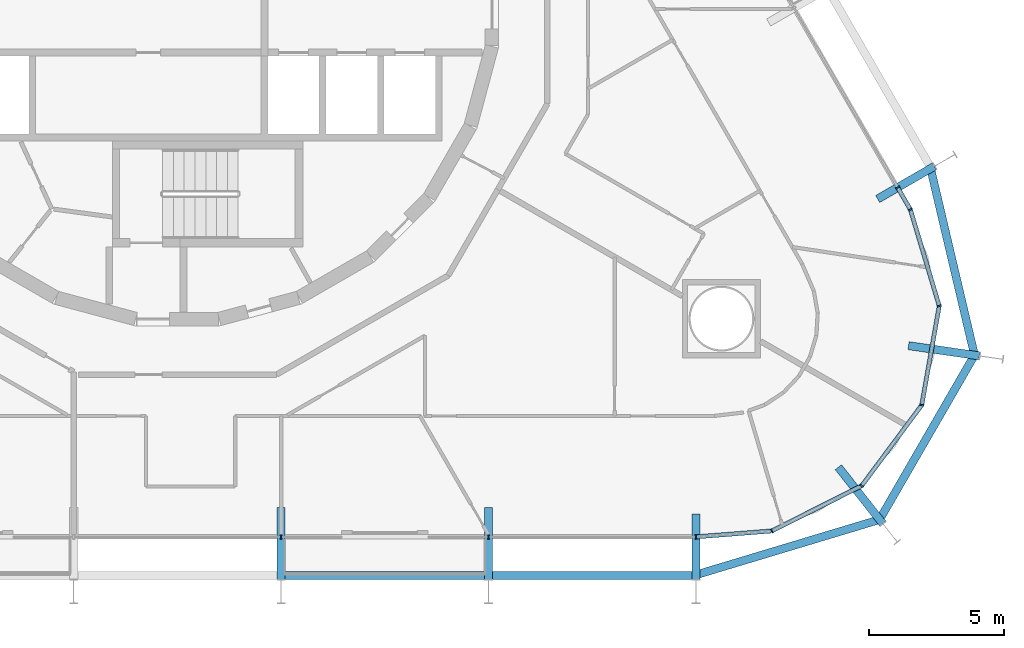
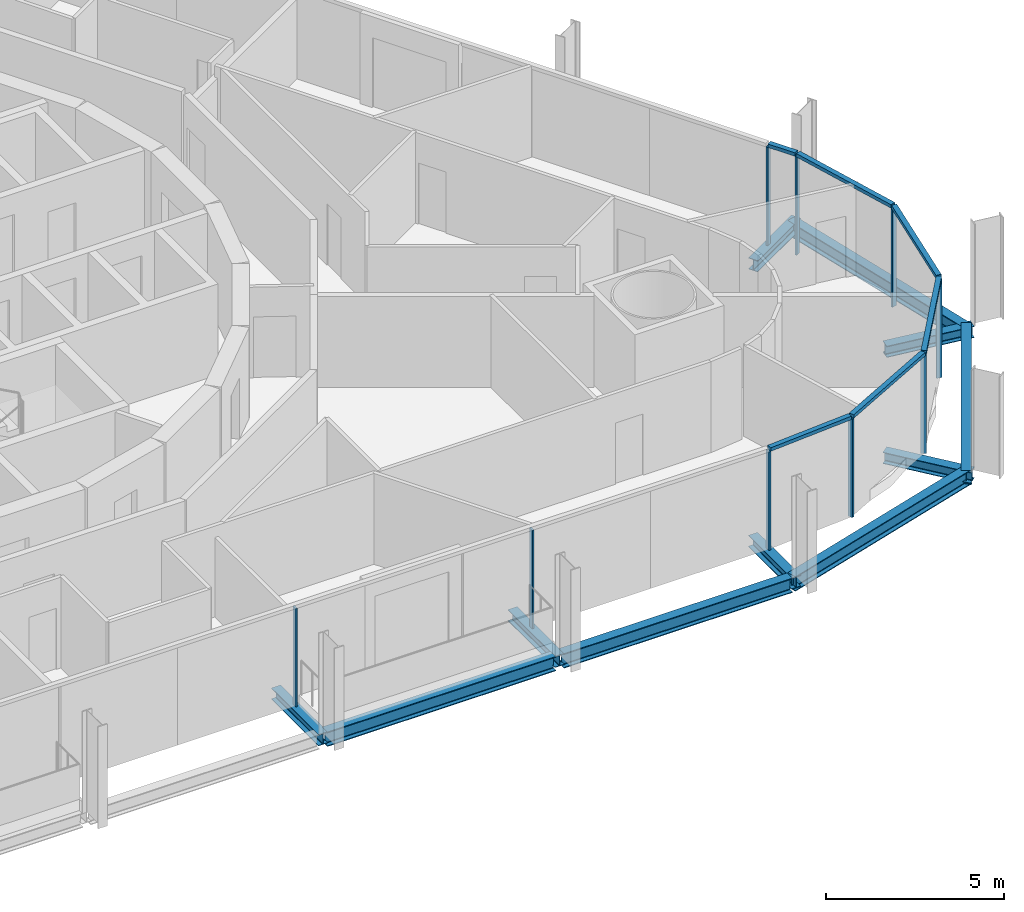
# One storey, part 6 of 19: 15 members, 11 beams, 3 elements without a shape of their own.
"""IFC4 building model written with IfcOpenShell, lengths in metres."""

import ifcopenshell
import ifcopenshell.guid

model = None  # the IFC model being written
_history = None  # IfcOwnerHistory: only IFC2X3 demands one
_inside = {}  # id of a spatial element -> (the spatial element, [elements in it])
_under = {}  # id of a project, library or spatial element -> (it, [spatial elements below it])
_declared = {}  # id of a project -> (the project, [libraries it declares])
_typed = {}  # id of a type object -> (the type object, [elements of that type])
_made_of = {}  # id of a material, layer set ... -> (it, [elements and type objects made of it])


def new_model(schema):
    """Start an empty IFC model of exactly this schema.

    Asked for "IFC4X3", IfcOpenShell would pick the latest addendum, in which some entities
    have other attributes; the version numbers below select the first issue.
    IFC2X3 requires an IfcOwnerHistory on every rooted entity: one is made here for all.
    """
    global model, _history
    if schema == "IFC4X3":
        model = ifcopenshell.file(schema_version=(4, 3, 0, 0))
    else:
        model = ifcopenshell.file(schema=schema)
    _inside.clear()
    _under.clear()
    _declared.clear()
    _typed.clear()
    _made_of.clear()
    _history = None
    if model.schema == "IFC2X3":
        org = make("IfcOrganization", Name="unknown")
        user = make(
            "IfcPersonAndOrganization",
            ThePerson=make("IfcPerson", FamilyName="unknown"),
            TheOrganization=org,
        )
        app = make(
            "IfcApplication",
            ApplicationDeveloper=org,
            Version="unknown",
            ApplicationFullName="unknown",
            ApplicationIdentifier="unknown",
        )
        _history = make(
            "IfcOwnerHistory",
            OwningUser=user,
            OwningApplication=app,
            ChangeAction="ADDED",
            CreationDate=0,
        )
    return model


def make(cls, **values):
    """One entity of the class cls with the attributes given. An attribute that is None is left unset."""
    return model.create_entity(
        cls, **{name: value for name, value in values.items() if value is not None}
    )


def rooted(cls, **values):
    """An entity with a GlobalId (a new one), such as an element, a storey or a relation."""
    return make(cls, GlobalId=ifcopenshell.guid.new(), OwnerHistory=_history, **values)


def si_unit(unit_type, name, prefix=None):
    """IfcSIUnit, for example si_unit("LENGTHUNIT", "METRE", prefix="MILLI")."""
    return make("IfcSIUnit", UnitType=unit_type, Prefix=prefix, Name=name)


def assignment(units):
    """IfcUnitAssignment: the units of a project."""
    return None if units is None else make("IfcUnitAssignment", Units=units)


def point(xyz):
    """IfcCartesianPoint."""
    return None if xyz is None else make("IfcCartesianPoint", Coordinates=xyz)


def direction(xyz):
    """IfcDirection."""
    return None if xyz is None else make("IfcDirection", DirectionRatios=xyz)


def frame(location, z_axis=None, x_axis=None):
    """IfcAxis2Placement3D, a coordinate frame: its origin and axes. An axis left out is left unset."""
    return make(
        "IfcAxis2Placement3D",
        Location=point(location),
        Axis=direction(z_axis),
        RefDirection=direction(x_axis),
    )


def frame_2d(location, x_axis=None):
    """IfcAxis2Placement2D, a coordinate frame in the plane: its origin and x axis."""
    return make(
        "IfcAxis2Placement2D", Location=point(location), RefDirection=direction(x_axis)
    )


def origin():
    """The frame at (0, 0, 0) with its axes left unset."""
    return frame((0.0, 0.0, 0.0))


def origin_2d():
    """The frame at (0, 0) in the plane with its x axis left unset."""
    return frame_2d((0.0, 0.0))


def place(relative_to, where):
    """IfcLocalPlacement: puts the frame where relative to a parent placement (None: the world)."""
    return make(
        "IfcLocalPlacement", PlacementRelTo=relative_to, RelativePlacement=where
    )


def context(
    kind, dimensions, precision=None, world=None, true_north=None, identifier=None
):
    """IfcGeometricRepresentationContext, for example the 3D "Model" context."""
    return make(
        "IfcGeometricRepresentationContext",
        ContextIdentifier=identifier,
        ContextType=kind,
        CoordinateSpaceDimension=dimensions,
        Precision=precision,
        WorldCoordinateSystem=world,
        TrueNorth=true_north,
    )


def subcontext(parent, identifier, kind, view, scale=None):
    """IfcGeometricRepresentationSubContext, for example "Body" below "Model"."""
    return make(
        "IfcGeometricRepresentationSubContext",
        ContextIdentifier=identifier,
        ContextType=kind,
        ParentContext=parent,
        TargetScale=scale,
        TargetView=view,
    )


def project(units=None, contexts=None):
    """IfcProject with its units and contexts."""
    return rooted(
        "IfcProject",
        Name="project",
        RepresentationContexts=contexts,
        UnitsInContext=assignment(units),
    )


def spatial(cls, under=None, at=None, **own):
    """A site, building, storey or space (cls), placed at a placement, below another one or the project."""
    s = rooted(cls, ObjectPlacement=at, **own)
    if under is not None:
        _under.setdefault(under.id(), (under, []))[1].append(s)
    return s


def profile(cls, at=None, kind="AREA", **sizes):
    """A parametric profile (cls). Its sizes go by their IFC names, for example OverallWidth=200.0."""
    return make(cls, ProfileType=kind, Position=at, **sizes)


def rectangle(**sizes):
    """IfcRectangleProfileDef."""
    return profile("IfcRectangleProfileDef", **sizes)


def i_section(**sizes):
    """IfcIShapeProfileDef."""
    return profile("IfcIShapeProfileDef", **sizes)


def extrude(swept, where, along, depth):
    """IfcExtrudedAreaSolid: the profile swept, set in the frame where, extruded along a direction by depth."""
    return make(
        "IfcExtrudedAreaSolid",
        SweptArea=swept,
        Position=where,
        ExtrudedDirection=direction(along),
        Depth=depth,
    )


def shape(context_of_items, identifier, shape_type, items):
    """IfcShapeRepresentation: the items that make up one representation, for example the "Body"."""
    return make(
        "IfcShapeRepresentation",
        ContextOfItems=context_of_items,
        RepresentationIdentifier=identifier,
        RepresentationType=shape_type,
        Items=items,
    )


def material(Name=None, Category=None):
    """IfcMaterial."""
    return make("IfcMaterial", Name=Name, Category=Category)


def layer(
    of_material, thickness, ventilated=None, Name=None, Category=None, Priority=None
):
    """IfcMaterialLayer: one layer of a wall or slab, of a material (None: an air gap)."""
    return make(
        "IfcMaterialLayer",
        Material=of_material,
        LayerThickness=thickness,
        IsVentilated=ventilated,
        Name=Name,
        Category=Category,
        Priority=Priority,
    )


def layer_set(layers, Name=None):
    """IfcMaterialLayerSet."""
    return make("IfcMaterialLayerSet", MaterialLayers=layers, LayerSetName=Name)


def material_profile(
    of_material, cross_section, Name=None, Category=None, Priority=None
):
    """IfcMaterialProfile: a cross section and its material."""
    return make(
        "IfcMaterialProfile",
        Name=Name,
        Material=of_material,
        Profile=cross_section,
        Priority=Priority,
        Category=Category,
    )


def profile_set(profiles, Name=None, composite=None):
    """IfcMaterialProfileSet."""
    return make(
        "IfcMaterialProfileSet",
        Name=Name,
        MaterialProfiles=profiles,
        CompositeProfile=composite,
    )


def made_of(thing, what):
    """Note that an element or type object is made of a material, layer set ...; save() writes the relation."""
    if what is not None:
        _made_of.setdefault(what.id(), (what, []))[1].append(thing)
    return thing


def type_object(cls, material=None, **own):
    """A type object (cls), such as IfcWallType, which elements share."""
    return made_of(rooted(cls, **own), material)


def element(
    cls,
    number,
    at=None,
    inside=None,
    cuts=None,
    type_object=None,
    material=None,
    context=None,
    identifier="Body",
    shape_type=None,
    held_by="IfcProductDefinitionShape",
    body=None,
    shapes=None,
    **own,
):
    """One element of the class cls, such as IfcWall. Its Tag is "e" and its number.

    at: its placement. inside: the storey or other place that contains it. cuts: it is an
    opening in that element (IfcRelVoidsElement). A single representation is given by context,
    identifier, shape_type and body (its items); several are given by shapes. held_by: the class
    of the entity that holds the representations. save() writes the other relations.
    """
    e = rooted(cls, Tag="e%d" % number, ObjectPlacement=at, **own)
    if body is not None:
        shapes = [shape(context, identifier, shape_type, body)]
    if shapes is not None:
        e.Representation = make(held_by, Representations=shapes)
    if inside is not None:
        _inside.setdefault(inside.id(), (inside, []))[1].append(e)
    if cuts is not None:
        rooted(
            "IfcRelVoidsElement", RelatingBuildingElement=cuts, RelatedOpeningElement=e
        )
    if type_object is not None:
        _typed.setdefault(type_object.id(), (type_object, []))[1].append(e)
    return made_of(e, material)


def aggregate(whole, parts):
    """IfcRelAggregates: a whole, such as a stair, and the parts it consists of."""
    return rooted("IfcRelAggregates", RelatingObject=whole, RelatedObjects=parts)


def save(model, path):
    """Write the relations noted so far, then the file.

    IfcRelAggregates (storeys below a building ...), IfcRelContainedInSpatialStructure (elements
    in a storey), IfcRelDefinesByType, IfcRelAssociatesMaterial and IfcRelDeclares: one each for
    every whole, place, type object, material and project.
    """
    for whole, parts in _under.values():
        aggregate(whole, parts)
    for where, things in _inside.values():
        rooted(
            "IfcRelContainedInSpatialStructure",
            RelatedElements=things,
            RelatingStructure=where,
        )
    for kind, things in _typed.values():
        rooted("IfcRelDefinesByType", RelatedObjects=things, RelatingType=kind)
    for what, things in _made_of.values():
        rooted("IfcRelAssociatesMaterial", RelatedObjects=things, RelatingMaterial=what)
    for by, libraries in _declared.values():
        rooted("IfcRelDeclares", RelatingContext=by, RelatedDefinitions=libraries)
    model.write(path)


model = new_model("IFC4")

# Units and contexts
model_context = context("Model", 3, precision=1e-05, world=origin(), true_north=direction((0.0, 1.0)))
body_context = subcontext(model_context, "Body", "Model", "MODEL_VIEW")
ifc_project = project(units=[si_unit("LENGTHUNIT", "METRE"), si_unit("AREAUNIT", "SQUARE_METRE"), si_unit("VOLUMEUNIT", "CUBIC_METRE"), si_unit("PLANEANGLEUNIT", "RADIAN"), si_unit("MASSUNIT", "GRAM", prefix="KILO")], contexts=[model_context])

# Site, building, storey
site_placement = place(None, origin())
site = spatial("IfcSite", under=ifc_project, at=site_placement, CompositionType="ELEMENT")
building_placement = place(site_placement, origin())
building = spatial("IfcBuilding", under=site, at=building_placement, Name="Spindle Arch Residences", CompositionType="ELEMENT")
storey_placement = place(building_placement, frame((0.0, 0.0, 45.39990234375)))
storey = spatial("IfcBuildingStorey", under=building, at=storey_placement, Name="L09", CompositionType="ELEMENT", Elevation=45.39990234375)

# Curtain wall, members
ifc_material_1 = material(Name="Aluminium bronze unitised frame with tinted glass", Category="aluminium")
ifc_layer_1 = layer(ifc_material_1, 0.159912109375)
ifc_layer_set_1 = layer_set([ifc_layer_1], Name="CW-D corner wall on the fillet arcs")
curtain_wall_type_1 = type_object("IfcCurtainWallType", Name="CW-D corner wall on the fillet arcs", PredefinedType="NOTDEFINED", material=ifc_layer_set_1)
curtain_wall_1_placement = place(storey_placement, origin())
curtain_wall_1 = element("IfcCurtainWall", 1, at=curtain_wall_1_placement, inside=storey, type_object=curtain_wall_type_1, Name="CW-D L09 run 1", PredefinedType="NOTDEFINED")
ifc_material_2 = material(Name="Aluminium bronze anodised mullion", Category="aluminium")
ifc_material_profile_1 = material_profile(ifc_material_2, rectangle(XDim=0.159912109375, YDim=0.06005859375, at=origin_2d()), Name="MU 60x160")
ifc_profile_set_1 = profile_set([ifc_material_profile_1], Name="Aluminium bronze anodised mullion")
member_type_1 = type_object("IfcMemberType", Name="Bronze mullion 60x160", PredefinedType="MULLION", material=ifc_profile_set_1)
member_1_placement = place(storey_placement, frame((19.2001953125, -19.7099609375, -0.3798828125), z_axis=(0.0, 0.0, 1.0), x_axis=(-0.077364085451, 0.997002907861, 0.0)))
member_1 = element("IfcMember", 2, at=member_1_placement, type_object=member_type_1, Name="CW-D mullion 00", PredefinedType="MULLION", context=body_context, shape_type="SweptSolid", body=[
    extrude(rectangle(XDim=0.159912109375, YDim=0.06005859375, at=origin_2d()), origin(), (0.0, 0.0, 1.0), 3.3798828125),
])
member_2_placement = place(storey_placement, frame((22.007080078125, -19.4921875, -0.3798828125), z_axis=(0.0, 0.0, 1.0), x_axis=(-0.448799176213, 0.893632642326, 0.0)))
member_2 = element("IfcMember", 3, at=member_2_placement, type_object=member_type_1, Name="CW-D mullion 01", PredefinedType="MULLION", context=body_context, shape_type="SweptSolid", body=[
    extrude(rectangle(XDim=0.159912109375, YDim=0.06005859375, at=origin_2d()), origin(), (0.0, 0.0, 1.0), 3.3798828125),
])
member_3_placement = place(storey_placement, frame((25.33740234375, -17.819580078125, -0.3798828125), z_axis=(0.0, 0.0, 1.0), x_axis=(-0.802123189687, 0.597158595823, 0.0)))
member_3 = element("IfcMember", 4, at=member_3_placement, type_object=member_type_1, Name="CW-D mullion 02", PredefinedType="MULLION", context=body_context, shape_type="SweptSolid", body=[
    extrude(rectangle(XDim=0.159912109375, YDim=0.06005859375, at=origin_2d()), origin(), (0.0, 0.0, 1.0), 3.3798828125),
])
member_4_placement = place(storey_placement, frame((27.562744140625, -14.830322265625, -0.3798828125), z_axis=(0.0, 0.0, 1.0), x_axis=(-0.984807752421, 0.173648181019, 0.0)))
member_4 = element("IfcMember", 5, at=member_4_placement, type_object=member_type_1, Name="CW-D mullion 03", PredefinedType="MULLION", context=body_context, shape_type="SweptSolid", body=[
    extrude(rectangle(XDim=0.159912109375, YDim=0.06005859375, at=origin_2d()), origin(), (0.0, 0.0, 1.0), 3.3798828125),
])
member_5_placement = place(storey_placement, frame((28.2099609375, -11.16015625, -0.3798828125), z_axis=(0.0, 0.0, 1.0), x_axis=(-0.957989512975, -0.28680323051, 0.0)))
member_5 = element("IfcMember", 6, at=member_5_placement, type_object=member_type_1, Name="CW-D mullion 04", PredefinedType="MULLION", context=body_context, shape_type="SweptSolid", body=[
    extrude(rectangle(XDim=0.159912109375, YDim=0.06005859375, at=origin_2d()), origin(), (0.0, 0.0, 1.0), 3.3798828125),
])
member_6_placement = place(storey_placement, frame((27.14111328125, -7.58984375, -0.3798828125), z_axis=(0.0, 0.0, 1.0), x_axis=(-0.866025403784, -0.5, 0.0)))
member_6 = element("IfcMember", 7, at=member_6_placement, type_object=member_type_1, Name="CW-D mullion 05", PredefinedType="MULLION", context=body_context, shape_type="SweptSolid", body=[
    extrude(rectangle(XDim=0.159912109375, YDim=0.06005859375, at=origin_2d()), origin(), (0.0, 0.0, 1.0), 3.3798828125),
])

# Curtain wall, member
ifc_material_3 = material(Name="Aluminium bronze unitised frame with tinted glass", Category="aluminium")
ifc_layer_2 = layer(ifc_material_3, 0.159912109375)
ifc_layer_set_2 = layer_set([ifc_layer_2], Name="CW-C typical residential unitised wall")
curtain_wall_type_2 = type_object("IfcCurtainWallType", Name="CW-C typical residential unitised wall", PredefinedType="NOTDEFINED", material=ifc_layer_set_2)
curtain_wall_2_placement = place(storey_placement, origin())
curtain_wall_2 = element("IfcCurtainWall", 8, at=curtain_wall_2_placement, inside=storey, type_object=curtain_wall_type_2, Name="CW-C L09 run 2", PredefinedType="NOTDEFINED")
member_7_placement = place(storey_placement, frame((26.66943359375, -6.77294921875, -0.3798828125), z_axis=(0.0, 0.0, 1.0), x_axis=(-0.866025403784, -0.5, 0.0)))
member_7 = element("IfcMember", 9, at=member_7_placement, type_object=member_type_1, Name="CW-C mullion 05", PredefinedType="MULLION", context=body_context, shape_type="SweptSolid", body=[
    extrude(rectangle(XDim=0.159912109375, YDim=0.06005859375, at=origin_2d()), origin(), (0.0, 0.0, 1.0), 3.3798828125),
])
aggregate(curtain_wall_2, [member_7])

# Curtain wall, members
curtain_wall_3_placement = place(storey_placement, origin())
curtain_wall_3 = element("IfcCurtainWall", 10, at=curtain_wall_3_placement, inside=storey, type_object=curtain_wall_type_2, Name="CW-C L09 run 6", PredefinedType="NOTDEFINED")
member_8_placement = place(storey_placement, frame((3.840087890625, -19.7099609375, -0.3798828125), z_axis=(0.0, 0.0, 1.0), x_axis=(0.0, 1.0, 0.0)))
member_8 = element("IfcMember", 11, at=member_8_placement, type_object=member_type_1, Name="CW-C mullion 00", PredefinedType="MULLION", context=body_context, shape_type="SweptSolid", body=[
    extrude(rectangle(XDim=0.159912109375, YDim=0.06005859375, at=origin_2d()), origin(), (0.0, 0.0, 1.0), 3.3798828125),
])
member_9_placement = place(storey_placement, frame((11.52001953125, -19.7099609375, -0.3798828125), z_axis=(0.0, 0.0, 1.0), x_axis=(0.0, 1.0, 0.0)))
member_9 = element("IfcMember", 12, at=member_9_placement, type_object=member_type_1, Name="CW-C mullion 01", PredefinedType="MULLION", context=body_context, shape_type="SweptSolid", body=[
    extrude(rectangle(XDim=0.159912109375, YDim=0.06005859375, at=origin_2d()), origin(), (0.0, 0.0, 1.0), 3.3798828125),
])
aggregate(curtain_wall_3, [member_8, member_9])

# Member
ifc_material_4 = material(Name="Aluminium bronze anodised transom", Category="aluminium")
ifc_material_profile_2 = material_profile(ifc_material_4, rectangle(XDim=0.159912109375, YDim=0.1201171875, at=origin_2d()), Name="TR 120x160")
ifc_profile_set_2 = profile_set([ifc_material_profile_2], Name="Aluminium bronze anodised transom")
member_type_2 = type_object("IfcMemberType", Name="Bronze transom 120x160", PredefinedType="USERDEFINED", material=ifc_profile_set_2)
member_10_placement = place(storey_placement, frame((19.22998046875, -19.70751953125, 3.06005859375), z_axis=(0.997003710875, 0.077353736189, 0.0), x_axis=(-0.077353736189, 0.997003710875, 0.0)))
member_10 = element("IfcMember", 13, at=member_10_placement, type_object=member_type_2, Name="CW-D transom 00", ObjectType="TRANSOM", PredefinedType="USERDEFINED", context=body_context, shape_type="SweptSolid", body=[
    extrude(rectangle(XDim=0.159912109375, YDim=0.1201171875, at=origin_2d()), origin(), (0.0, 0.0, 1.0), 2.75537109375),
])

member_11_placement = place(storey_placement, frame((22.03369140625, -19.478759765625, 3.06005859375), z_axis=(0.893626812559, 0.448810784046, 0.0), x_axis=(-0.448810784046, 0.893626812559, 0.0)))
member_11 = element("IfcMember", 14, at=member_11_placement, type_object=member_type_2, Name="CW-D transom 01", ObjectType="TRANSOM", PredefinedType="USERDEFINED", context=body_context, shape_type="SweptSolid", body=[
    extrude(rectangle(XDim=0.159912109375, YDim=0.1201171875, at=origin_2d()), origin(), (0.0, 0.0, 1.0), 3.6669921875),
])

member_12_placement = place(storey_placement, frame((25.355224609375, -17.79541015625, 3.06005859375), z_axis=(0.597173190998, 0.802112323776, 0.0), x_axis=(-0.802112323776, 0.597173190998, 0.0)))
member_12 = element("IfcMember", 15, at=member_12_placement, type_object=member_type_2, Name="CW-D transom 02", ObjectType="TRANSOM", PredefinedType="USERDEFINED", context=body_context, shape_type="SweptSolid", body=[
    extrude(rectangle(XDim=0.159912109375, YDim=0.1201171875, at=origin_2d()), origin(), (0.0, 0.0, 1.0), 3.666748046875),
])

member_13_placement = place(storey_placement, frame((27.56787109375, -14.80078125, 3.06005859375), z_axis=(0.173709368694, 0.984796961423, 0.0), x_axis=(-0.984796961423, 0.173709368694, 0.0)))
member_13 = element("IfcMember", 16, at=member_13_placement, type_object=member_type_2, Name="CW-D transom 03", ObjectType="TRANSOM", PredefinedType="USERDEFINED", context=body_context, shape_type="SweptSolid", body=[
    extrude(rectangle(XDim=0.159912109375, YDim=0.1201171875, at=origin_2d()), origin(), (0.0, 0.0, 1.0), 3.666748046875),
])

member_14_placement = place(storey_placement, frame((28.201416015625, -11.13134765625, 3.06005859375), z_axis=(-0.286834736274, 0.957980080203, 0.0), x_axis=(-0.957980080203, -0.286834736274, 0.0)))
member_14 = element("IfcMember", 17, at=member_14_placement, type_object=member_type_2, Name="CW-D transom 04", ObjectType="TRANSOM", PredefinedType="USERDEFINED", context=body_context, shape_type="SweptSolid", body=[
    extrude(rectangle(XDim=0.159912109375, YDim=0.1201171875, at=origin_2d()), origin(), (0.0, 0.0, 1.0), 3.666748046875),
])

member_15_placement = place(storey_placement, frame((27.1259765625, -7.56396484375, 3.06005859375), z_axis=(-0.499913830031, 0.866075148324, 0.0), x_axis=(-0.866075148324, -0.499913830031, 0.0)))
member_15 = element("IfcMember", 18, at=member_15_placement, type_object=member_type_2, Name="CW-D transom 05", ObjectType="TRANSOM", PredefinedType="USERDEFINED", context=body_context, shape_type="SweptSolid", body=[
    extrude(rectangle(XDim=0.159912109375, YDim=0.1201171875, at=origin_2d()), origin(), (0.0, 0.0, 1.0), 0.883544921875),
])

aggregate(curtain_wall_1, [member_1, member_10, member_2, member_11, member_3, member_12, member_4, member_13, member_5, member_14, member_6, member_15])

# Beams
ifc_material_5 = material(Name="Steel S460ML, intumescent coating R 120", Category="steel")
ifc_material_profile_3 = material_profile(ifc_material_5, i_section(OverallWidth=0.300048828125, OverallDepth=0.5, WebThickness=0.014404296875, FlangeThickness=0.028076171875, FilletRadius=0.027099609375, at=origin_2d()), Name="HEB 500")
ifc_profile_set_3 = profile_set([ifc_material_profile_3], Name="Steel S460ML, intumescent coating R 120")
beam_type_1 = type_object("IfcBeamType", Name="Exoskeleton edge beam HEB 500", PredefinedType="BEAM", material=ifc_profile_set_3)
for number, where, z_axis, x_axis, name in (
    (19, (3.969970703125, -21.142822265625, -0.6298828125), (1.0, 0.0, 0.0), (0.0, 1.0, 0.0), "Exoskeleton edge beam 1"),
    (20, (11.650146484375, -21.142822265625, -0.6298828125), (1.0, 0.0, 0.0), (0.0, 1.0, 0.0), "Exoskeleton edge beam 2"),
):
    element("IfcBeam", number, at=place(storey_placement, frame(where, z_axis=z_axis, x_axis=x_axis)), inside=storey, type_object=beam_type_1, Name=name, PredefinedType="BEAM", context=body_context, shape_type="SweptSolid", body=[
        extrude(i_section(OverallWidth=0.300048828125, OverallDepth=0.5, WebThickness=0.014404296875, FlangeThickness=0.028076171875, FilletRadius=0.027099609375, at=origin_2d()), origin(), (0.0, 0.0, 1.0), 7.420166015625),
    ])
beam_1_placement = place(storey_placement, frame((19.132568359375, -21.1376953125, -0.6298828125), z_axis=(0.95756732363, 0.288209681856, 0.0), x_axis=(-0.288209681856, 0.95756732363, 0.0)))
element("IfcBeam", 21, at=beam_1_placement, inside=storey, type_object=beam_type_1, Name="Exoskeleton edge beam 3", PredefinedType="BEAM", context=body_context, shape_type="SweptSolid", body=[
    extrude(i_section(OverallWidth=0.300048828125, OverallDepth=0.5, WebThickness=0.014404296875, FlangeThickness=0.028076171875, FilletRadius=0.027099609375, at=origin_2d()), origin(), (0.0, 0.0, 1.0), 7.250244140625),
])
beam_2_placement = place(storey_placement, frame((25.9482421875, -19.1591796875, -0.6298828125), z_axis=(0.499999897272, 0.866025463095, 0.0), x_axis=(-0.866025463095, 0.499999897272, 0.0)))
element("IfcBeam", 22, at=beam_2_placement, inside=storey, type_object=beam_type_1, Name="Exoskeleton edge beam 4", PredefinedType="BEAM", context=body_context, shape_type="SweptSolid", body=[
    extrude(i_section(OverallWidth=0.300048828125, OverallDepth=0.5, WebThickness=0.014404296875, FlangeThickness=0.028076171875, FilletRadius=0.027099609375, at=origin_2d()), origin(), (0.0, 0.0, 1.0), 7.236328125),
])
beam_3_placement = place(storey_placement, frame((29.53369140625, -13.0576171875, -0.6298828125), z_axis=(-0.229185730541, 0.973382710406, 0.0), x_axis=(-0.973382710406, -0.229185730541, 0.0)))
element("IfcBeam", 23, at=beam_3_placement, inside=storey, type_object=beam_type_1, Name="Exoskeleton edge beam 5", PredefinedType="BEAM", context=body_context, shape_type="SweptSolid", body=[
    extrude(i_section(OverallWidth=0.300048828125, OverallDepth=0.5, WebThickness=0.014404296875, FlangeThickness=0.028076171875, FilletRadius=0.027099609375, at=origin_2d()), origin(), (0.0, 0.0, 1.0), 7.25),
])
ifc_material_6 = material(Name="Steel S460ML, intumescent coating R 120", Category="steel")
ifc_material_profile_4 = material_profile(ifc_material_6, i_section(OverallWidth=0.300048828125, OverallDepth=0.389892578125, WebThickness=0.010986328125, FlangeThickness=0.01904296875, FilletRadius=0.027099609375, at=origin_2d()), Name="HEA 400")
ifc_profile_set_4 = profile_set([ifc_material_profile_4], Name="Steel S460ML, intumescent coating R 120")
beam_type_2 = type_object("IfcBeamType", Name="Floor outrigger HEA 400", PredefinedType="BEAM", material=ifc_profile_set_4)
for number, where, z_axis, x_axis, name in (
    (24, (3.840087890625, -21.27978515625, -0.574951171875), (0.0, 1.0, 0.0), (-1.0, 0.0, 0.0), "Floor outrigger 1"),
    (25, (11.52001953125, -21.27978515625, -0.574951171875), (0.0, 1.0, 0.0), (-1.0, 0.0, 0.0), "Floor outrigger 2"),
):
    element("IfcBeam", number, at=place(storey_placement, frame(where, z_axis=z_axis, x_axis=x_axis)), inside=storey, type_object=beam_type_2, Name=name, PredefinedType="BEAM", context=body_context, shape_type="SweptSolid", body=[
        extrude(i_section(OverallWidth=0.300048828125, OverallDepth=0.389892578125, WebThickness=0.010986328125, FlangeThickness=0.01904296875, FilletRadius=0.027099609375, at=origin_2d()), origin(), (0.0, 0.0, 1.0), 2.64990234375),
    ])
beam_4_placement = place(storey_placement, frame((19.2001953125, -21.27978515625, -0.574951171875), z_axis=(0.0, 1.0, 0.0), x_axis=(-1.0, 0.0, 0.0)))
element("IfcBeam", 26, at=beam_4_placement, inside=storey, type_object=beam_type_2, Name="Floor outrigger 3", PredefinedType="BEAM", context=body_context, shape_type="SweptSolid", body=[
    extrude(i_section(OverallWidth=0.300048828125, OverallDepth=0.389892578125, WebThickness=0.010986328125, FlangeThickness=0.01904296875, FilletRadius=0.027099609375, at=origin_2d()), origin(), (0.0, 0.0, 1.0), 2.42333984375),
])
for number, where, z_axis, x_axis, name in (
    (27, (26.11328125, -19.211669921875, -0.574951171875), (-0.618586231558, 0.785716917297, 0.0), (-0.785716917297, -0.618586231558, 0.0), "Floor outrigger 4"),
    (28, (29.694580078125, -13.009033203125, -0.574951171875), (-0.989738348309, 0.142891573883, 0.0), (-0.142891573883, -0.989738348309, 0.0), "Floor outrigger 5"),
):
    element("IfcBeam", number, at=place(storey_placement, frame(where, z_axis=z_axis, x_axis=x_axis)), inside=storey, type_object=beam_type_2, Name=name, PredefinedType="BEAM", context=body_context, shape_type="SweptSolid", body=[
        extrude(i_section(OverallWidth=0.300048828125, OverallDepth=0.389892578125, WebThickness=0.010986328125, FlangeThickness=0.01904296875, FilletRadius=0.027099609375, at=origin_2d()), origin(), (0.0, 0.0, 1.0), 2.64990234375),
    ])
beam_5_placement = place(storey_placement, frame((28.029052734375, -5.98779296875, -0.574951171875), z_axis=(-0.866002732682, -0.500039265445, 0.0), x_axis=(0.500039265445, -0.866002732682, 0.0)))
element("IfcBeam", 29, at=beam_5_placement, inside=storey, type_object=beam_type_2, Name="Floor outrigger 6", PredefinedType="BEAM", context=body_context, shape_type="SweptSolid", body=[
    extrude(i_section(OverallWidth=0.300048828125, OverallDepth=0.389892578125, WebThickness=0.010986328125, FlangeThickness=0.01904296875, FilletRadius=0.027099609375, at=origin_2d()), origin(), (0.0, 0.0, 1.0), 2.423583984375),
])

save(model, "model.ifc")
